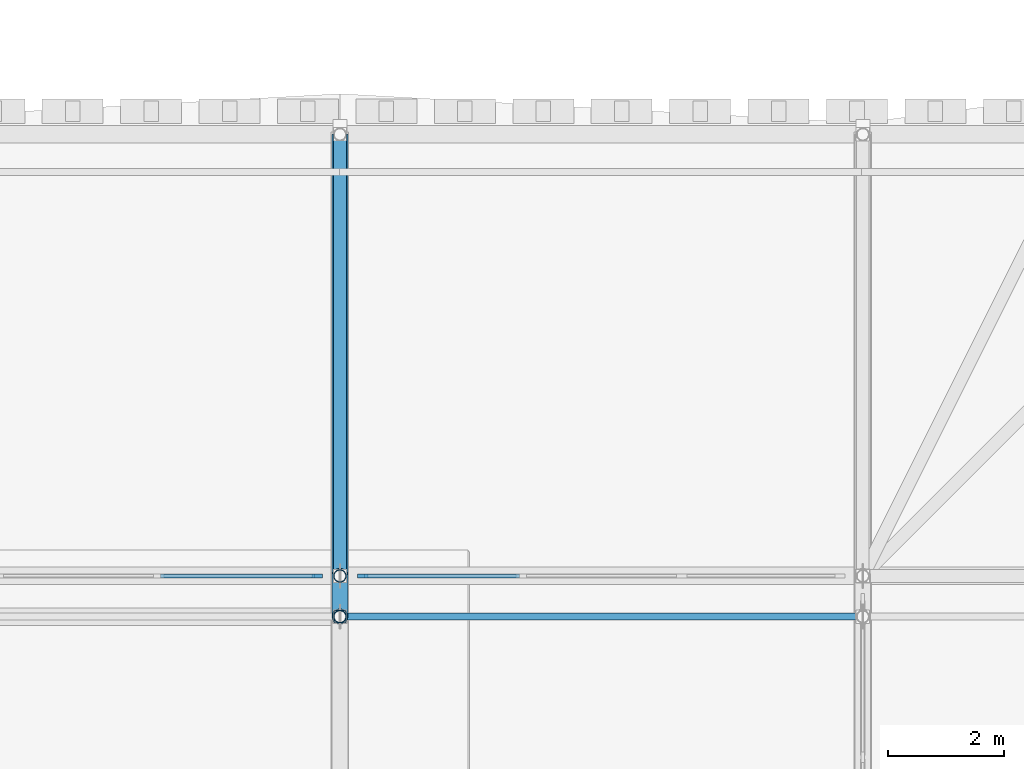
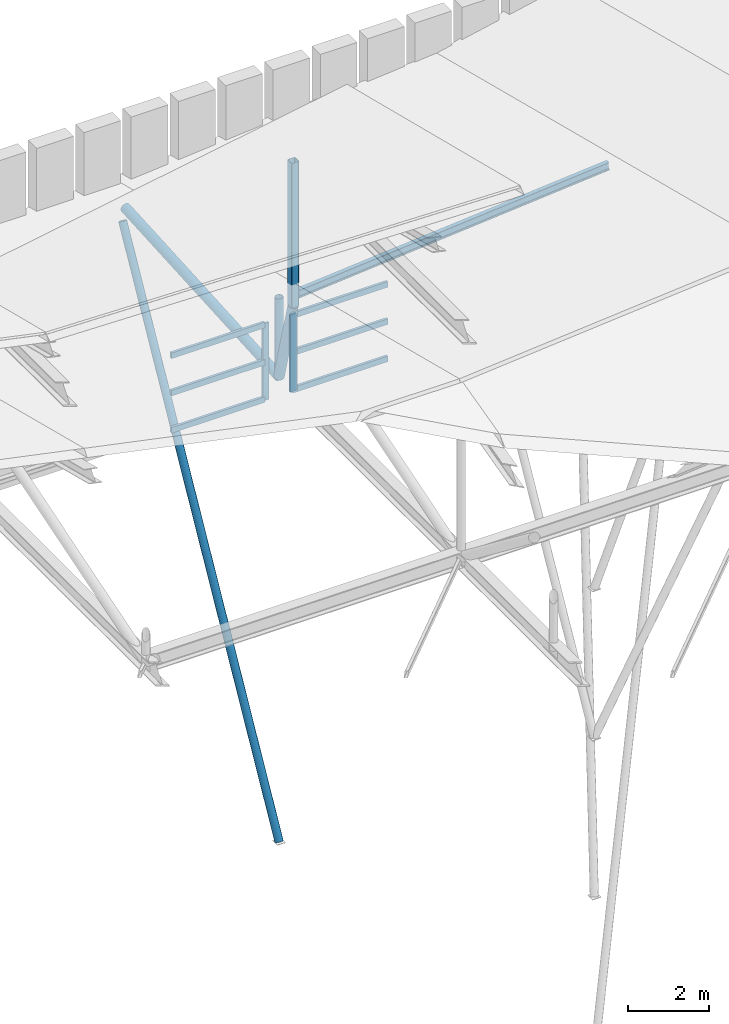
# One storey, part 19 of 42: 15 members, 2 elements without a shape of their own.
"""IFC4 building model written with IfcOpenShell, lengths in metres."""

from ifc_helpers import new_model, si_unit, direction, frame, origin, origin_2d, place, context, subcontext, project, spatial, rectangle, hollow_rectangle, hollow_circle, i_section, extrude, material, material_profile, profile_set, type_object, element, aggregate, save


model = new_model("IFC4")

# Units and contexts
model_context = context("Model", 3, precision=1e-05, world=origin(), true_north=direction((0.0, 1.0)))
body_context = subcontext(model_context, "Body", "Model", "MODEL_VIEW")
ifc_project = project(units=[si_unit("LENGTHUNIT", "METRE"), si_unit("AREAUNIT", "SQUARE_METRE"), si_unit("VOLUMEUNIT", "CUBIC_METRE"), si_unit("PLANEANGLEUNIT", "RADIAN"), si_unit("MASSUNIT", "GRAM", prefix="KILO")], contexts=[model_context])

# Site, building, storey
site_placement = place(None, origin())
site = spatial("IfcSite", under=ifc_project, at=site_placement, CompositionType="ELEMENT")
building_placement = place(site_placement, origin())
building = spatial("IfcBuilding", under=site, at=building_placement, Name="Bozkorgan Art Gallery", CompositionType="ELEMENT")
storey_placement = place(building_placement, frame((0.0, 0.0, 28.800048828125)))
storey = spatial("IfcBuildingStorey", under=building, at=storey_placement, Name="RF", CompositionType="ELEMENT", Elevation=28.800048828125)

# Curtain wall, member
ifc_material_1 = material(Name="Anodised Bronze Aluminium", Category="aluminium")
curtain_wall_type = type_object("IfcCurtainWallType", Name="CW-CW-28", PredefinedType="NOTDEFINED", material=ifc_material_1)
curtain_wall_1_placement = place(storey_placement, origin())
curtain_wall_1 = element("IfcCurtainWall", 1, at=curtain_wall_1_placement, inside=storey, type_object=curtain_wall_type, Name="RF unitised curtain wall CW-RF-V1-N-47", PredefinedType="NOTDEFINED")
ifc_material_profile_1 = material_profile(ifc_material_1, rectangle(XDim=0.06494140625, YDim=0.179931640625, at=origin_2d()), Name="ALU MULLION 65x180")
ifc_profile_set_1 = profile_set([ifc_material_profile_1], Name="Anodised Bronze Aluminium")
member_type_1 = type_object("IfcMemberType", Name="CWM-01", PredefinedType="MULLION", material=ifc_profile_set_1)
member_1_placement = place(storey_placement, frame((55.607421875, 20.0, -0.324951171875), z_axis=(0.0, 0.0, 1.0), x_axis=(0.0, 1.0, 0.0)))
member_1 = element("IfcMember", 2, at=member_1_placement, type_object=member_type_1, Name="CW-28 mullion 4", PredefinedType="MULLION", context=body_context, shape_type="SweptSolid", body=[
    extrude(rectangle(XDim=0.06494140625, YDim=0.179931640625, at=origin_2d()), origin(), (0.0, 0.0, 1.0), 2.324951171875),
])

curtain_wall_2_placement = place(storey_placement, origin())
curtain_wall_2 = element("IfcCurtainWall", 3, at=curtain_wall_2_placement, inside=storey, type_object=curtain_wall_type, Name="RF unitised curtain wall CW-RF-V1-N-56", PredefinedType="NOTDEFINED")
member_2_placement = place(storey_placement, frame((56.392578125, 20.0, -0.324951171875), z_axis=(0.0, 0.0, 1.0), x_axis=(0.0, 1.0, 0.0)))
member_2 = element("IfcMember", 4, at=member_2_placement, type_object=member_type_1, Name="CW-28 mullion 1", PredefinedType="MULLION", context=body_context, shape_type="SweptSolid", body=[
    extrude(rectangle(XDim=0.06494140625, YDim=0.179931640625, at=origin_2d()), origin(), (0.0, 0.0, 1.0), 2.324951171875),
])

# Member
ifc_material_profile_2 = material_profile(ifc_material_1, rectangle(XDim=0.074951171875, YDim=0.169921875, at=origin_2d()), Name="ALU TRANSOM 75x170")
ifc_profile_set_2 = profile_set([ifc_material_profile_2], Name="Anodised Bronze Aluminium")
member_type_2 = type_object("IfcMemberType", Name="CWT-02", PredefinedType="USERDEFINED", material=ifc_profile_set_2)
member_3_placement = place(storey_placement, frame((52.91259765625, 20.0, -0.28759765625), z_axis=(1.0, 0.0, 0.0), x_axis=(0.0, 1.0, 0.0)))
member_3 = element("IfcMember", 5, at=member_3_placement, type_object=member_type_2, Name="CW-28 transom 3.1", ObjectType="TRANSOM", PredefinedType="USERDEFINED", context=body_context, shape_type="SweptSolid", body=[
    extrude(rectangle(XDim=0.074951171875, YDim=0.169921875, at=origin_2d()), origin(), (0.0, 0.0, 1.0), 2.662353515625),
])

member_4_placement = place(storey_placement, frame((52.91259765625, 20.0, 0.837890625), z_axis=(1.0, 0.0, 0.0), x_axis=(0.0, 1.0, 0.0)))
member_4 = element("IfcMember", 6, at=member_4_placement, type_object=member_type_2, Name="CW-28 transom 3.2", ObjectType="TRANSOM", PredefinedType="USERDEFINED", context=body_context, shape_type="SweptSolid", body=[
    extrude(rectangle(XDim=0.074951171875, YDim=0.169921875, at=origin_2d()), origin(), (0.0, 0.0, 1.0), 2.662353515625),
])

member_5_placement = place(storey_placement, frame((52.91259765625, 20.0, 1.96240234375), z_axis=(1.0, 0.0, 0.0), x_axis=(0.0, 1.0, 0.0)))
member_5 = element("IfcMember", 7, at=member_5_placement, type_object=member_type_2, Name="CW-28 transom 3.3", ObjectType="TRANSOM", PredefinedType="USERDEFINED", context=body_context, shape_type="SweptSolid", body=[
    extrude(rectangle(XDim=0.074951171875, YDim=0.169921875, at=origin_2d()), origin(), (0.0, 0.0, 1.0), 2.662353515625),
])

aggregate(curtain_wall_1, [member_1, member_3, member_4, member_5])

member_6_placement = place(storey_placement, frame((56.425048828125, 20.0, -0.28759765625), z_axis=(1.0, 0.0, 0.0), x_axis=(0.0, 1.0, 0.0)))
member_6 = element("IfcMember", 8, at=member_6_placement, type_object=member_type_2, Name="CW-28 transom 1.1", ObjectType="TRANSOM", PredefinedType="USERDEFINED", context=body_context, shape_type="SweptSolid", body=[
    extrude(rectangle(XDim=0.074951171875, YDim=0.169921875, at=origin_2d()), origin(), (0.0, 0.0, 1.0), 2.662353515625),
])

member_7_placement = place(storey_placement, frame((56.425048828125, 20.0, 0.837890625), z_axis=(1.0, 0.0, 0.0), x_axis=(0.0, 1.0, 0.0)))
member_7 = element("IfcMember", 9, at=member_7_placement, type_object=member_type_2, Name="CW-28 transom 1.2", ObjectType="TRANSOM", PredefinedType="USERDEFINED", context=body_context, shape_type="SweptSolid", body=[
    extrude(rectangle(XDim=0.074951171875, YDim=0.169921875, at=origin_2d()), origin(), (0.0, 0.0, 1.0), 2.662353515625),
])

member_8_placement = place(storey_placement, frame((56.425048828125, 20.0, 1.96240234375), z_axis=(1.0, 0.0, 0.0), x_axis=(0.0, 1.0, 0.0)))
member_8 = element("IfcMember", 10, at=member_8_placement, type_object=member_type_2, Name="CW-28 transom 1.3", ObjectType="TRANSOM", PredefinedType="USERDEFINED", context=body_context, shape_type="SweptSolid", body=[
    extrude(rectangle(XDim=0.074951171875, YDim=0.169921875, at=origin_2d()), origin(), (0.0, 0.0, 1.0), 2.662353515625),
])

aggregate(curtain_wall_2, [member_2, member_6, member_7, member_8])

# Members
ifc_material_2 = material(Name="Steel S355J2", Category="steel")
ifc_material_profile_3 = material_profile(ifc_material_2, hollow_rectangle(XDim=0.219970703125, YDim=0.219970703125, WallThickness=0.012451171875, InnerFilletRadius=0.018798828125, OuterFilletRadius=0.03125, at=origin_2d()), Name="SHS 220x220x12.5")
ifc_profile_set_3 = profile_set([ifc_material_profile_3], Name="Steel S355J2")
member_type_3 = type_object("IfcMemberType", Name="MEMBER-CP-34", PredefinedType="POST", material=ifc_profile_set_3)
member_9_placement = place(storey_placement, frame((56.0, 19.300048828125, 2.826904296875), z_axis=(0.0, 0.0, 1.0), x_axis=(1.0, 0.0, 0.0)))
element("IfcMember", 11, at=member_9_placement, inside=storey, type_object=member_type_3, Name="V1 upper clerestory truss post 6N", PredefinedType="POST", context=body_context, shape_type="SweptSolid", body=[
    extrude(hollow_rectangle(XDim=0.219970703125, YDim=0.219970703125, WallThickness=0.012451171875, InnerFilletRadius=0.018798828125, OuterFilletRadius=0.03125, at=origin_2d()), origin(), (0.0, 0.0, 1.0), 4.363525390625),
])
ifc_material_profile_4 = material_profile(ifc_material_2, hollow_circle(Radius=0.109619140625, WallThickness=0.010009765625, at=origin_2d()), Name="CHS 219.1x10")
ifc_profile_set_4 = profile_set([ifc_material_profile_4], Name="Steel S355J2")
member_type_4 = type_object("IfcMemberType", Name="MEMBER-ES-44", PredefinedType="BRACE", material=ifc_profile_set_4)
member_10_placement = place(storey_placement, frame((56.0, 20.0, -13.800048828125), z_axis=(0.0, 0.48251516305, 0.875887616893), x_axis=(-1.0, 0.0, 0.0)))
element("IfcMember", 12, at=member_10_placement, inside=storey, type_object=member_type_4, Name="ROOF-V1-MAIN north swept-eave diagonal tree-strut 7", PredefinedType="BRACE", context=body_context, shape_type="SweptSolid", body=[
    extrude(hollow_circle(Radius=0.109619140625, WallThickness=0.010009765625, at=origin_2d()), origin(), (0.0, 0.0, 1.0), 16.041015625),
])
ifc_material_profile_5 = material_profile(ifc_material_2, i_section(OverallWidth=0.1201171875, OverallDepth=0.239990234375, WebThickness=0.006103515625, FlangeThickness=0.009765625, FilletRadius=0.014892578125, at=origin_2d()), Name="IPE 240")
ifc_profile_set_5 = profile_set([ifc_material_profile_5], Name="Steel S355J2")
member_type_5 = type_object("IfcMemberType", Name="MEMBER-PR-34", PredefinedType="PURLIN", material=ifc_profile_set_5)
member_11_placement = place(storey_placement, frame((56.0, 19.300048828125, 3.1220703125), z_axis=(0.996279126371, 0.0, 0.086185279243), x_axis=(0.0, 1.0, 0.0)))
element("IfcMember", 13, at=member_11_placement, inside=storey, type_object=member_type_5, Name="ROOF-V1-MAIN roof purlin 7N", PredefinedType="PURLIN", context=body_context, shape_type="SweptSolid", body=[
    extrude(i_section(OverallWidth=0.1201171875, OverallDepth=0.239990234375, WebThickness=0.006103515625, FlangeThickness=0.009765625, FilletRadius=0.014892578125, at=origin_2d()), origin(), (0.0, 0.0, 1.0), 9.03369140625),
])
ifc_material_profile_6 = material_profile(ifc_material_2, hollow_circle(Radius=0.109619140625, WallThickness=0.010009765625, at=origin_2d()), Name="CHS 219.1x10")
ifc_profile_set_6 = profile_set([ifc_material_profile_6], Name="Steel S355J2")
member_type_6 = type_object("IfcMemberType", Name="MEMBER-TP-78", PredefinedType="POST", material=ifc_profile_set_6)
member_12_placement = place(storey_placement, frame((56.0, 19.300048828125, 0.25), z_axis=(0.0, 0.0, 1.0), x_axis=(1.0, 0.0, 0.0)))
element("IfcMember", 14, at=member_12_placement, inside=storey, type_object=member_type_6, Name="ROOF-V1-MAIN roof truss 7 post 3", PredefinedType="POST", context=body_context, shape_type="SweptSolid", body=[
    extrude(hollow_circle(Radius=0.109619140625, WallThickness=0.010009765625, at=origin_2d()), origin(), (0.0, 0.0, 1.0), 2.576904296875),
])
member_13_placement = place(storey_placement, frame((56.0, 20.0, 0.25), z_axis=(0.0, 0.0, 1.0), x_axis=(1.0, 0.0, 0.0)))
element("IfcMember", 15, at=member_13_placement, inside=storey, type_object=member_type_6, Name="ROOF-V1-MAIN roof truss 7 post 4", PredefinedType="POST", context=body_context, shape_type="SweptSolid", body=[
    extrude(hollow_circle(Radius=0.109619140625, WallThickness=0.010009765625, at=origin_2d()), origin(), (0.0, 0.0, 1.0), 2.39990234375),
])
ifc_material_profile_7 = material_profile(ifc_material_2, hollow_circle(Radius=0.136474609375, WallThickness=0.012451171875, at=origin_2d()), Name="CHS 273x12.5")
ifc_profile_set_7 = profile_set([ifc_material_profile_7], Name="Steel S355J2")
member_type_7 = type_object("IfcMemberType", Name="MEMBER-TW-28", PredefinedType="BRACE", material=ifc_profile_set_7)
member_14_placement = place(storey_placement, frame((56.0, 19.300048828125, 2.826904296875), z_axis=(0.0, 0.262127020499, -0.965033380316), x_axis=(-1.0, 0.0, 0.0)))
element("IfcMember", 16, at=member_14_placement, inside=storey, type_object=member_type_7, Name="ROOF-V1-MAIN roof truss 7 diagonal 4", PredefinedType="BRACE", context=body_context, shape_type="SweptSolid", body=[
    extrude(hollow_circle(Radius=0.136474609375, WallThickness=0.012451171875, at=origin_2d()), origin(), (0.0, 0.0, 1.0), 2.670166015625),
])
member_15_placement = place(storey_placement, frame((56.0, 20.0, 0.25), z_axis=(0.0, 0.998039833362, 0.062581874549), x_axis=(-1.0, 0.0, 0.0)))
element("IfcMember", 17, at=member_15_placement, inside=storey, type_object=member_type_7, Name="ROOF-V1-MAIN roof truss 7 diagonal 5", PredefinedType="BRACE", context=body_context, shape_type="SweptSolid", body=[
    extrude(hollow_circle(Radius=0.136474609375, WallThickness=0.012451171875, at=origin_2d()), origin(), (0.0, 0.0, 1.0), 7.614990234375),
])

save(model, "model.ifc")
